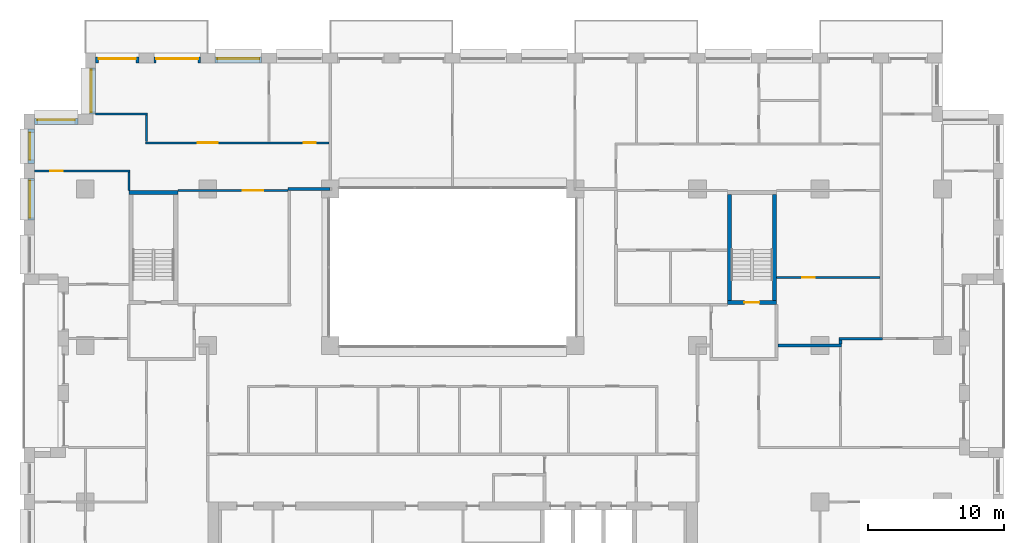
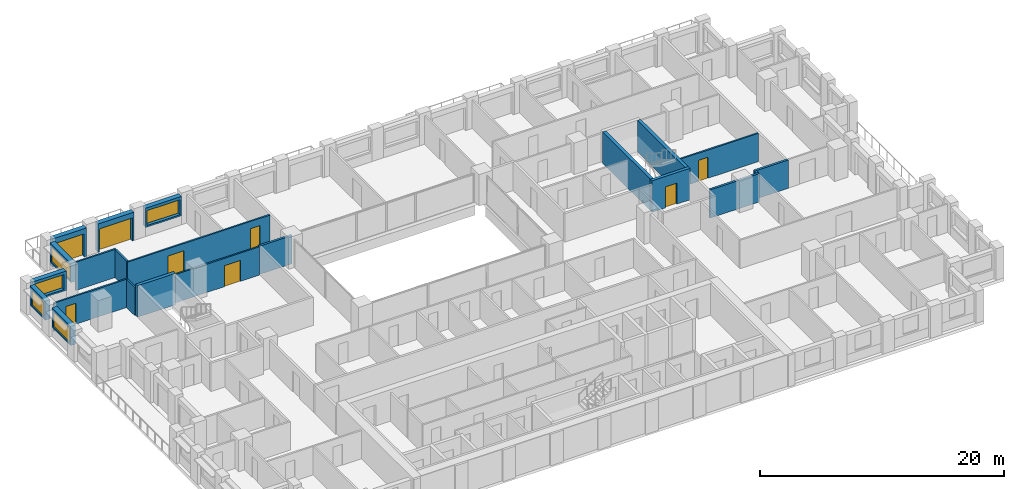
# One storey, part 12 of 16: 22 walls, 8 doors, 5 windows, 13 openings.
"""IFC4 building model written with IfcOpenShell, lengths in metres."""

from ifc_helpers import new_model, si_unit, direction, frame, frame_2d, origin, place, context, subcontext, project, spatial, rectangle, extrude, material, layer, layer_set, type_object, element, fill, save


model = new_model("IFC4")

# Units and contexts
model_context = context("Model", 3, precision=1e-05, world=origin(), true_north=direction((0.0, 1.0)))
body_context = subcontext(model_context, "Body", "Model", "MODEL_VIEW")
ifc_project = project(units=[si_unit("LENGTHUNIT", "METRE"), si_unit("AREAUNIT", "SQUARE_METRE"), si_unit("VOLUMEUNIT", "CUBIC_METRE"), si_unit("PLANEANGLEUNIT", "RADIAN"), si_unit("MASSUNIT", "GRAM", prefix="KILO")], contexts=[model_context])

# Site, building, storey
site_placement = place(None, origin())
site = spatial("IfcSite", under=ifc_project, at=site_placement, CompositionType="ELEMENT")
building_placement = place(site_placement, origin())
building = spatial("IfcBuilding", under=site, at=building_placement, Name="Brigalow Station Residences", CompositionType="ELEMENT")
storey_placement = place(building_placement, frame((0.0, 0.0, 105.60009765625)))
storey = spatial("IfcBuildingStorey", under=building, at=storey_placement, Name="L30", CompositionType="ELEMENT", Elevation=105.60009765625)

# Wall, opening, window
ifc_material_1 = material(Name="Clay brick masonry", Category="masonry")
ifc_layer_1 = layer(ifc_material_1, 0.449951171875)
ifc_layer_set_1 = layer_set([ifc_layer_1], Name="BRICK INFILL WALL 450")
wall_type_1 = type_object("IfcWallType", Name="BRICK INFILL WALL 450", PredefinedType="SOLIDWALL", material=ifc_layer_set_1)
wall_1_placement = place(storey_placement, frame((21.949951171875, 44.97509765625, 0.89990234375), z_axis=(0.0, 0.0, 1.0), x_axis=(-1.0, 0.0, 0.0)))
wall_1 = element("IfcWall", 1, at=wall_1_placement, inside=storey, type_object=wall_type_1, Name="L30/ewall/W-L30-34", PredefinedType="SOLIDWALL", context=body_context, shape_type="SweptSolid", body=[
    extrude(rectangle(XDim=3.39990234375, YDim=0.449951171875, at=frame_2d((1.699951171875, 0.0))), origin(), (0.0, 0.0, 1.0), 1.929931640625),
])
opening_1_placement = place(wall_1_placement, frame((0.14990234375, 0.0, 0.14990234375)))
opening_1 = element("IfcOpeningElement", 2, at=opening_1_placement, cuts=wall_1, Name="Opening WT-8", PredefinedType="OPENING", context=body_context, shape_type="SweptSolid", body=[
    extrude(rectangle(XDim=3.10009765625, YDim=1.5, at=frame_2d((1.550048828125, 0.75))), frame((0.0, 0.23486328125, 0.0), z_axis=(0.0, -1.0, 0.0), x_axis=(1.0, 0.0, 0.0)), (0.0, 0.0, 1.0), 0.469970703125),
])
ifc_material_2 = material(Name="Anodised aluminium frame with double glazing", Category="aluminium")
window_type_1 = type_object("IfcWindowType", Name="WINDOW 3100x1500", PartitioningType="SINGLE_PANEL", PredefinedType="WINDOW", material=ifc_material_2)
window_1_placement = place(opening_1_placement, origin())
window_1 = element("IfcWindow", 3, at=window_1_placement, inside=storey, type_object=window_type_1, Name="L30/window/W-L30-34", OverallHeight=1.5, OverallWidth=3.10009765625, PartitioningType="SINGLE_PANEL", PredefinedType="WINDOW", context=body_context, shape_type="SweptSolid", body=[
    extrude(rectangle(XDim=3.10009765625, YDim=1.5, at=frame_2d((1.550048828125, 0.75))), frame((0.0, -0.06494140625, 0.0), z_axis=(0.0, -1.0, 0.0), x_axis=(1.0, 0.0, 0.0)), (0.0, 0.0, 1.0), 0.06005859375),
])
fill(opening_1, window_1)

# Wall, opening, door
wall_2_placement = place(storey_placement, frame((17.449951171875, 44.97509765625, 0.0), z_axis=(0.0, 0.0, 1.0), x_axis=(-1.0, 0.0, 0.0)))
wall_2 = element("IfcWall", 4, at=wall_2_placement, inside=storey, type_object=wall_type_1, Name="L30/ewall/W-L30-35", PredefinedType="SOLIDWALL", context=body_context, shape_type="SweptSolid", body=[
    extrude(rectangle(XDim=3.39990234375, YDim=0.449951171875, at=frame_2d((1.699951171875, 0.0))), origin(), (0.0, 0.0, 1.0), 2.829833984375),
])
opening_2_placement = place(wall_2_placement, frame((0.14990234375, 0.0, 0.0)))
opening_2 = element("IfcOpeningElement", 5, at=opening_2_placement, cuts=wall_2, Name="Opening D-B3100", PredefinedType="OPENING", context=body_context, shape_type="SweptSolid", body=[
    extrude(rectangle(XDim=3.10009765625, YDim=2.300048828125, at=frame_2d((1.550048828125, 1.14990234375))), frame((0.0, 0.23486328125, 0.0), z_axis=(0.0, -1.0, 0.0), x_axis=(1.0, 0.0, 0.0)), (0.0, 0.0, 1.0), 0.469970703125),
])
ifc_material_3 = material(Name="Anodised aluminium frame with double glazing", Category="aluminium")
door_type_1 = type_object("IfcDoorType", Name="BALCONY SLIDING DOOR 3100x2300", OperationType="SLIDING_TO_LEFT", PredefinedType="DOOR", material=ifc_material_3)
door_1_placement = place(opening_2_placement, origin())
door_1 = element("IfcDoor", 6, at=door_1_placement, inside=storey, type_object=door_type_1, Name="L30/balcony-door/W-L30-35", OperationType="SLIDING_TO_LEFT", OverallHeight=2.300048828125, OverallWidth=3.10009765625, PredefinedType="DOOR", context=body_context, shape_type="SweptSolid", body=[
    extrude(rectangle(XDim=3.10009765625, YDim=2.300048828125, at=frame_2d((1.550048828125, 1.14990234375))), frame((0.0, -0.06982421875, 0.0), z_axis=(0.0, -1.0, 0.0), x_axis=(1.0, 0.0, 0.0)), (0.0, 0.0, 1.0), 0.050048828125),
])
fill(opening_2, door_1)

wall_3_placement = place(storey_placement, frame((12.949951171875, 44.97509765625, 0.0), z_axis=(0.0, 0.0, 1.0), x_axis=(-1.0, 0.0, 0.0)))
wall_3 = element("IfcWall", 7, at=wall_3_placement, inside=storey, type_object=wall_type_1, Name="L30/ewall/W-L30-36", PredefinedType="SOLIDWALL", context=body_context, shape_type="SweptSolid", body=[
    extrude(rectangle(XDim=3.199951171875, YDim=0.449951171875, at=frame_2d((1.60009765625, 0.0))), origin(), (0.0, 0.0, 1.0), 2.829833984375),
])
opening_3_placement = place(wall_3_placement, frame((0.22509765625, 0.0, 0.0)))
opening_3 = element("IfcOpeningElement", 8, at=opening_3_placement, cuts=wall_3, Name="Opening D-B2750", PredefinedType="OPENING", context=body_context, shape_type="SweptSolid", body=[
    extrude(rectangle(XDim=2.75, YDim=2.300048828125, at=frame_2d((1.375, 1.14990234375))), frame((0.0, 0.23486328125, 0.0), z_axis=(0.0, -1.0, 0.0), x_axis=(1.0, 0.0, 0.0)), (0.0, 0.0, 1.0), 0.469970703125),
])
ifc_material_4 = material(Name="Anodised aluminium frame with double glazing", Category="aluminium")
door_type_2 = type_object("IfcDoorType", Name="BALCONY SLIDING DOOR 2750x2300", OperationType="SLIDING_TO_LEFT", PredefinedType="DOOR", material=ifc_material_4)
door_2_placement = place(opening_3_placement, origin())
door_2 = element("IfcDoor", 9, at=door_2_placement, inside=storey, type_object=door_type_2, Name="L30/balcony-door/W-L30-36", OperationType="SLIDING_TO_LEFT", OverallHeight=2.300048828125, OverallWidth=2.75, PredefinedType="DOOR", context=body_context, shape_type="SweptSolid", body=[
    extrude(rectangle(XDim=2.75, YDim=2.300048828125, at=frame_2d((1.375, 1.14990234375))), frame((0.0, -0.06982421875, 0.0), z_axis=(0.0, -1.0, 0.0), x_axis=(1.0, 0.0, 0.0)), (0.0, 0.0, 1.0), 0.050048828125),
])
fill(opening_3, door_2)

# Wall, opening, window
wall_4_placement = place(storey_placement, frame((9.52490234375, 44.39990234375, 0.89990234375), z_axis=(0.0, 0.0, 1.0), x_axis=(0.0, -1.0, 0.0)))
wall_4 = element("IfcWall", 10, at=wall_4_placement, inside=storey, type_object=wall_type_1, Name="L30/ewall/W-L30-37", PredefinedType="SOLIDWALL", context=body_context, shape_type="SweptSolid", body=[
    extrude(rectangle(XDim=3.39990234375, YDim=0.449951171875, at=frame_2d((1.699951171875, 0.0))), origin(), (0.0, 0.0, 1.0), 1.929931640625),
])
opening_4_placement = place(wall_4_placement, frame((0.14990234375, 0.0, 0.14990234375)))
opening_4 = element("IfcOpeningElement", 11, at=opening_4_placement, cuts=wall_4, Name="Opening WT-8", PredefinedType="OPENING", context=body_context, shape_type="SweptSolid", body=[
    extrude(rectangle(XDim=3.10009765625, YDim=1.5, at=frame_2d((1.550048828125, 0.75))), frame((0.0, 0.23486328125, 0.0), z_axis=(0.0, -1.0, 0.0), x_axis=(1.0, 0.0, 0.0)), (0.0, 0.0, 1.0), 0.469970703125),
])
window_2_placement = place(opening_4_placement, origin())
window_2 = element("IfcWindow", 12, at=window_2_placement, inside=storey, type_object=window_type_1, Name="L30/window/W-L30-37", OverallHeight=1.5, OverallWidth=3.10009765625, PartitioningType="SINGLE_PANEL", PredefinedType="WINDOW", context=body_context, shape_type="SweptSolid", body=[
    extrude(rectangle(XDim=3.10009765625, YDim=1.5, at=frame_2d((1.550048828125, 0.75))), frame((0.0, -0.06494140625, 0.0), z_axis=(0.0, -1.0, 0.0), x_axis=(1.0, 0.0, 0.0)), (0.0, 0.0, 1.0), 0.06005859375),
])
fill(opening_4, window_2)

wall_5_placement = place(storey_placement, frame((8.449951171875, 40.47509765625, 0.89990234375), z_axis=(0.0, 0.0, 1.0), x_axis=(-1.0, 0.0, 0.0)))
wall_5 = element("IfcWall", 13, at=wall_5_placement, inside=storey, type_object=wall_type_1, Name="L30/ewall/W-L30-38", PredefinedType="SOLIDWALL", context=body_context, shape_type="SweptSolid", body=[
    extrude(rectangle(XDim=3.199951171875, YDim=0.449951171875, at=frame_2d((1.60009765625, 0.0))), origin(), (0.0, 0.0, 1.0), 1.929931640625),
])
opening_5_placement = place(wall_5_placement, frame((0.22509765625, 0.0, 0.14990234375)))
opening_5 = element("IfcOpeningElement", 14, at=opening_5_placement, cuts=wall_5, Name="Opening WT-3", PredefinedType="OPENING", context=body_context, shape_type="SweptSolid", body=[
    extrude(rectangle(XDim=2.75, YDim=1.5, at=frame_2d((1.375, 0.75))), frame((0.0, 0.23486328125, 0.0), z_axis=(0.0, -1.0, 0.0), x_axis=(1.0, 0.0, 0.0)), (0.0, 0.0, 1.0), 0.469970703125),
])
ifc_material_5 = material(Name="Anodised aluminium frame with double glazing", Category="aluminium")
window_type_2 = type_object("IfcWindowType", Name="WINDOW 2750x1500", PartitioningType="SINGLE_PANEL", PredefinedType="WINDOW", material=ifc_material_5)
window_3_placement = place(opening_5_placement, origin())
window_3 = element("IfcWindow", 15, at=window_3_placement, inside=storey, type_object=window_type_2, Name="L30/window/W-L30-38", OverallHeight=1.5, OverallWidth=2.75, PartitioningType="SINGLE_PANEL", PredefinedType="WINDOW", context=body_context, shape_type="SweptSolid", body=[
    extrude(rectangle(XDim=2.75, YDim=1.5, at=frame_2d((1.375, 0.75))), frame((0.0, -0.06494140625, 0.0), z_axis=(0.0, -1.0, 0.0), x_axis=(1.0, 0.0, 0.0)), (0.0, 0.0, 1.0), 0.06005859375),
])
fill(opening_5, window_3)

wall_6_placement = place(storey_placement, frame((5.02490234375, 39.89990234375, 0.89990234375), z_axis=(0.0, 0.0, 1.0), x_axis=(0.0, -1.0, 0.0)))
wall_6 = element("IfcWall", 16, at=wall_6_placement, inside=storey, type_object=wall_type_1, Name="L30/ewall/W-L30-39", PredefinedType="SOLIDWALL", context=body_context, shape_type="SweptSolid", body=[
    extrude(rectangle(XDim=2.516845703125, YDim=0.449951171875, at=frame_2d((1.25830078125, 0.0))), origin(), (0.0, 0.0, 1.0), 1.929931640625),
])
opening_6_placement = place(wall_6_placement, frame((0.258544921875, 0.0, 0.14990234375)))
opening_6 = element("IfcOpeningElement", 17, at=opening_6_placement, cuts=wall_6, Name="Opening WT-7", PredefinedType="OPENING", context=body_context, shape_type="SweptSolid", body=[
    extrude(rectangle(XDim=2.0, YDim=1.5, at=frame_2d((1.0, 0.75))), frame((0.0, 0.23486328125, 0.0), z_axis=(0.0, -1.0, 0.0), x_axis=(1.0, 0.0, 0.0)), (0.0, 0.0, 1.0), 0.469970703125),
])
ifc_material_6 = material(Name="Anodised aluminium frame with double glazing", Category="aluminium")
window_type_3 = type_object("IfcWindowType", Name="WINDOW 2000x1500", PartitioningType="SINGLE_PANEL", PredefinedType="WINDOW", material=ifc_material_6)
window_4_placement = place(opening_6_placement, origin())
window_4 = element("IfcWindow", 18, at=window_4_placement, inside=storey, type_object=window_type_3, Name="L30/window/W-L30-39", OverallHeight=1.5, OverallWidth=2.0, PartitioningType="SINGLE_PANEL", PredefinedType="WINDOW", context=body_context, shape_type="SweptSolid", body=[
    extrude(rectangle(XDim=2.0, YDim=1.5, at=frame_2d((1.0, 0.75))), frame((0.0, -0.06494140625, 0.0), z_axis=(0.0, -1.0, 0.0), x_axis=(1.0, 0.0, 0.0)), (0.0, 0.0, 1.0), 0.06005859375),
])
fill(opening_6, window_4)

wall_7_placement = place(storey_placement, frame((5.02490234375, 36.282958984375, 0.89990234375), z_axis=(0.0, 0.0, 1.0), x_axis=(0.0, -1.0, 0.0)))
wall_7 = element("IfcWall", 19, at=wall_7_placement, inside=storey, type_object=wall_type_1, Name="L30/ewall/W-L30-40", PredefinedType="SOLIDWALL", context=body_context, shape_type="SweptSolid", body=[
    extrude(rectangle(XDim=3.06591796875, YDim=0.449951171875, at=frame_2d((1.532958984375, 0.0))), origin(), (0.0, 0.0, 1.0), 1.929931640625),
])
opening_7_placement = place(wall_7_placement, frame((0.157958984375, 0.0, 0.14990234375)))
opening_7 = element("IfcOpeningElement", 20, at=opening_7_placement, cuts=wall_7, Name="Opening WT-3", PredefinedType="OPENING", context=body_context, shape_type="SweptSolid", body=[
    extrude(rectangle(XDim=2.75, YDim=1.5, at=frame_2d((1.375, 0.75))), frame((0.0, 0.23486328125, 0.0), z_axis=(0.0, -1.0, 0.0), x_axis=(1.0, 0.0, 0.0)), (0.0, 0.0, 1.0), 0.469970703125),
])
window_5_placement = place(opening_7_placement, origin())
window_5 = element("IfcWindow", 21, at=window_5_placement, inside=storey, type_object=window_type_2, Name="L30/window/W-L30-40", OverallHeight=1.5, OverallWidth=2.75, PartitioningType="SINGLE_PANEL", PredefinedType="WINDOW", context=body_context, shape_type="SweptSolid", body=[
    extrude(rectangle(XDim=2.75, YDim=1.5, at=frame_2d((1.375, 0.75))), frame((0.0, -0.06494140625, 0.0), z_axis=(0.0, -1.0, 0.0), x_axis=(1.0, 0.0, 0.0)), (0.0, 0.0, 1.0), 0.06005859375),
])
fill(opening_7, window_5)

# Wall
ifc_material_7 = material(Name="Concrete C65", Category="concrete")
ifc_layer_2 = layer(ifc_material_7, 0.300048828125)
ifc_layer_set_2 = layer_set([ifc_layer_2], Name="CORE SHEAR WALL 300 C65")
wall_type_2 = type_object("IfcWallType", Name="CORE SHEAR WALL 300 C65", PredefinedType="SHEAR", material=ifc_layer_set_2)
wall_8_placement = place(storey_placement, frame((12.199951171875, 35.25, 0.0), z_axis=(0.0, 0.0, 1.0), x_axis=(1.0, 0.0, 0.0)))
element("IfcWall", 22, at=wall_8_placement, inside=storey, type_object=wall_type_2, Name="CORE WALL ST-S1-N L30", PredefinedType="SHEAR", context=body_context, shape_type="SweptSolid", body=[
    extrude(rectangle(XDim=3.60009765625, YDim=0.300048828125, at=frame_2d((1.800048828125, 0.0))), origin(), (0.0, 0.0, 1.0), 3.14990234375),
])

# Wall, opening, door
wall_9_placement = place(storey_placement, frame((56.199951171875, 27.14990234375, 0.0), z_axis=(0.0, 0.0, 1.0), x_axis=(1.0, 0.0, 0.0)))
wall_9 = element("IfcWall", 23, at=wall_9_placement, inside=storey, type_object=wall_type_2, Name="CORE WALL ST-S3-S L30", PredefinedType="SHEAR", context=body_context, shape_type="SweptSolid", body=[
    extrude(rectangle(XDim=3.60009765625, YDim=0.300048828125, at=frame_2d((1.800048828125, 0.0))), origin(), (0.0, 0.0, 1.0), 3.14990234375),
])
opening_8_placement = place(wall_9_placement, frame((1.25, 0.0, 0.0)))
opening_8 = element("IfcOpeningElement", 24, at=opening_8_placement, cuts=wall_9, Name="Opening D-5018", PredefinedType="OPENING", context=body_context, shape_type="SweptSolid", body=[
    extrude(rectangle(XDim=1.10009765625, YDim=2.10009765625, at=frame_2d((0.550048828125, 1.050048828125))), frame((0.0, 0.16015625, 0.0), z_axis=(0.0, -1.0, 0.0), x_axis=(1.0, 0.0, 0.0)), (0.0, 0.0, 1.0), 0.320068359375),
])
ifc_material_8 = material(Name="Steel fire door leaf in steel frame", Category="steel")
door_type_3 = type_object("IfcDoorType", Name="STAIR DOOR 1100 x 2100 FD60S", OperationType="SINGLE_SWING_LEFT", PredefinedType="DOOR", material=ifc_material_8)
door_3_placement = place(opening_8_placement, origin())
door_3 = element("IfcDoor", 25, at=door_3_placement, inside=storey, type_object=door_type_3, Name="D-5018", OperationType="SINGLE_SWING_LEFT", OverallHeight=2.10009765625, OverallWidth=1.10009765625, PredefinedType="DOOR", context=body_context, shape_type="SweptSolid", body=[
    extrude(rectangle(XDim=1.10009765625, YDim=2.10009765625, at=frame_2d((0.550048828125, 1.050048828125))), frame((0.0, 0.02490234375, 0.0), z_axis=(0.0, -1.0, 0.0), x_axis=(1.0, 0.0, 0.0)), (0.0, 0.0, 1.0), 0.050048828125),
])
fill(opening_8, door_3)

# Walls
for number, where, z_axis, x_axis, name in (
    (26, (56.35009765625, 27.300048828125, 0.0), (0.0, 0.0, 1.0), (0.0, 1.0, 0.0), "CORE WALL ST-S3-W L30"),
    (27, (59.64990234375, 27.300048828125, 0.0), (0.0, 0.0, 1.0), (0.0, 1.0, 0.0), "CORE WALL ST-S3-E L30"),
):
    element("IfcWall", number, at=place(storey_placement, frame(where, z_axis=z_axis, x_axis=x_axis)), inside=storey, type_object=wall_type_2, Name=name, PredefinedType="SHEAR", context=body_context, shape_type="SweptSolid", body=[
        extrude(rectangle(XDim=7.800048828125, YDim=0.300048828125, at=frame_2d((3.89990234375, 0.0))), origin(), (0.0, 0.0, 1.0), 3.14990234375),
    ])

# Wall, opening, door
ifc_material_9 = material(Name="Plasterboard on steel stud partition", Category="steel")
ifc_layer_3 = layer(ifc_material_9, 0.14990234375)
ifc_layer_set_3 = layer_set([ifc_layer_3], Name="FLAT PARTITION 150")
wall_type_3 = type_object("IfcWallType", Name="FLAT PARTITION 150", PredefinedType="PARTITIONING", material=ifc_layer_set_3)
wall_10_placement = place(storey_placement, frame((5.25, 36.8330078125, 0.0), z_axis=(0.0, 0.0, 1.0), x_axis=(1.0, 0.0, 0.0)))
wall_10 = element("IfcWall", 28, at=wall_10_placement, inside=storey, type_object=wall_type_3, Name="PW-2C22", PredefinedType="PARTITIONING", context=body_context, shape_type="SweptSolid", body=[
    extrude(rectangle(XDim=7.02490234375, YDim=0.14990234375, at=frame_2d((3.512451171875, 0.0))), origin(), (0.0, 0.0, 1.0), 2.829833984375),
])
opening_9_placement = place(wall_10_placement, frame((1.175048828125, 0.0, 0.0)))
opening_9 = element("IfcOpeningElement", 29, at=opening_9_placement, cuts=wall_10, Name="Opening D-2C12", PredefinedType="OPENING", context=body_context, shape_type="SweptSolid", body=[
    extrude(rectangle(XDim=0.89990234375, YDim=2.10009765625, at=frame_2d((0.449951171875, 1.050048828125))), frame((0.0, 0.0849609375, 0.0), z_axis=(0.0, -1.0, 0.0), x_axis=(1.0, 0.0, 0.0)), (0.0, 0.0, 1.0), 0.169921875),
])
ifc_material_10 = material(Name="Solid-core timber door leaf", Category="wood")
door_type_4 = type_object("IfcDoorType", Name="INTERNAL DOOR 900 x 2100", OperationType="SINGLE_SWING_LEFT", PredefinedType="DOOR", material=ifc_material_10)
door_4_placement = place(opening_9_placement, frame((0.89990234375, 0.0, 0.0), z_axis=(0.0, 0.0, 1.0), x_axis=(-1.0, 0.0, 0.0)))
door_4 = element("IfcDoor", 30, at=door_4_placement, inside=storey, type_object=door_type_4, Name="D-2C12", OperationType="SINGLE_SWING_RIGHT", OverallHeight=2.10009765625, OverallWidth=0.89990234375, PredefinedType="DOOR", context=body_context, shape_type="SweptSolid", body=[
    extrude(rectangle(XDim=0.89990234375, YDim=2.10009765625, at=frame_2d((0.449951171875, 1.050048828125))), frame((0.0, 0.02490234375, 0.0), z_axis=(0.0, -1.0, 0.0), x_axis=(1.0, 0.0, 0.0)), (0.0, 0.0, 1.0), 0.050048828125),
])
fill(opening_9, door_4)

# Wall, openings, doors
wall_11_placement = place(storey_placement, frame((13.425048828125, 38.89990234375, 0.0), z_axis=(0.0, 0.0, 1.0), x_axis=(1.0, 0.0, 0.0)))
wall_11 = element("IfcWall", 31, at=wall_11_placement, inside=storey, type_object=wall_type_3, Name="PW-2C24", PredefinedType="PARTITIONING", context=body_context, shape_type="SweptSolid", body=[
    extrude(rectangle(XDim=13.474853515625, YDim=0.14990234375, at=frame_2d((6.7373046875, 0.0))), origin(), (0.0, 0.0, 1.0), 2.829833984375),
])
opening_10_placement = place(wall_11_placement, frame((3.824951171875, 0.0, 0.0)))
opening_10 = element("IfcOpeningElement", 32, at=opening_10_placement, cuts=wall_11, Name="Opening D-2C13", PredefinedType="OPENING", context=body_context, shape_type="SweptSolid", body=[
    extrude(rectangle(XDim=1.5, YDim=2.10009765625, at=frame_2d((0.75, 1.050048828125))), frame((0.0, 0.0849609375, 0.0), z_axis=(0.0, -1.0, 0.0), x_axis=(1.0, 0.0, 0.0)), (0.0, 0.0, 1.0), 0.169921875),
])
opening_11_placement = place(wall_11_placement, frame((11.625, 0.0, 0.0)))
opening_11 = element("IfcOpeningElement", 33, at=opening_11_placement, cuts=wall_11, Name="Opening D-2C15", PredefinedType="OPENING", context=body_context, shape_type="SweptSolid", body=[
    extrude(rectangle(XDim=0.89990234375, YDim=2.10009765625, at=frame_2d((0.449951171875, 1.050048828125))), frame((0.0, 0.0849609375, 0.0), z_axis=(0.0, -1.0, 0.0), x_axis=(1.0, 0.0, 0.0)), (0.0, 0.0, 1.0), 0.169921875),
])
door_5_placement = place(opening_11_placement, origin())
door_5 = element("IfcDoor", 34, at=door_5_placement, inside=storey, type_object=door_type_4, Name="D-2C15", OperationType="SINGLE_SWING_RIGHT", OverallHeight=2.10009765625, OverallWidth=0.89990234375, PredefinedType="DOOR", context=body_context, shape_type="SweptSolid", body=[
    extrude(rectangle(XDim=0.89990234375, YDim=2.10009765625, at=frame_2d((0.449951171875, 1.050048828125))), frame((0.0, 0.02490234375, 0.0), z_axis=(0.0, -1.0, 0.0), x_axis=(1.0, 0.0, 0.0)), (0.0, 0.0, 1.0), 0.050048828125),
])
fill(opening_11, door_5)
ifc_material_11 = material(Name="Solid-core timber door leaf", Category="wood")
door_type_5 = type_object("IfcDoorType", Name="INTERNAL DOUBLE DOOR 1500 x 2100", OperationType="DOUBLE_DOOR_SINGLE_SWING", PredefinedType="DOOR", material=ifc_material_11)
door_6_placement = place(opening_10_placement, origin())
door_6 = element("IfcDoor", 35, at=door_6_placement, inside=storey, type_object=door_type_5, Name="D-2C13", OperationType="DOUBLE_DOOR_SINGLE_SWING", OverallHeight=2.10009765625, OverallWidth=1.5, PredefinedType="DOOR", context=body_context, shape_type="SweptSolid", body=[
    extrude(rectangle(XDim=1.5, YDim=2.10009765625, at=frame_2d((0.75, 1.050048828125))), frame((0.0, 0.02490234375, 0.0), z_axis=(0.0, -1.0, 0.0), x_axis=(1.0, 0.0, 0.0)), (0.0, 0.0, 1.0), 0.050048828125),
])
fill(opening_10, door_6)

# Wall, opening, door
wall_12_placement = place(storey_placement, frame((15.800048828125, 35.39990234375, 0.0), z_axis=(0.0, 0.0, 1.0), x_axis=(1.0, 0.0, 0.0)))
wall_12 = element("IfcWall", 36, at=wall_12_placement, inside=storey, type_object=wall_type_3, Name="PW-2C25", PredefinedType="PARTITIONING", context=body_context, shape_type="SweptSolid", body=[
    extrude(rectangle(XDim=8.099853515625, YDim=0.14990234375, at=frame_2d((4.0498046875, 0.0))), origin(), (0.0, 0.0, 1.0), 2.829833984375),
])
opening_12_placement = place(wall_12_placement, frame((4.77490234375, 0.0, 0.0)))
opening_12 = element("IfcOpeningElement", 37, at=opening_12_placement, cuts=wall_12, Name="Opening D-2C16", PredefinedType="OPENING", context=body_context, shape_type="SweptSolid", body=[
    extrude(rectangle(XDim=1.5, YDim=2.10009765625, at=frame_2d((0.75, 1.050048828125))), frame((0.0, 0.0849609375, 0.0), z_axis=(0.0, -1.0, 0.0), x_axis=(1.0, 0.0, 0.0)), (0.0, 0.0, 1.0), 0.169921875),
])
door_7_placement = place(opening_12_placement, frame((1.5, 0.0, 0.0), z_axis=(0.0, 0.0, 1.0), x_axis=(-1.0, 0.0, 0.0)))
door_7 = element("IfcDoor", 38, at=door_7_placement, inside=storey, type_object=door_type_5, Name="D-2C16", OperationType="DOUBLE_DOOR_SINGLE_SWING", OverallHeight=2.10009765625, OverallWidth=1.5, PredefinedType="DOOR", context=body_context, shape_type="SweptSolid", body=[
    extrude(rectangle(XDim=1.5, YDim=2.10009765625, at=frame_2d((0.75, 1.050048828125))), frame((0.0, 0.02490234375, 0.0), z_axis=(0.0, -1.0, 0.0), x_axis=(1.0, 0.0, 0.0)), (0.0, 0.0, 1.0), 0.050048828125),
])
fill(opening_12, door_7)

# Wall
wall_13_placement = place(storey_placement, frame((9.75, 41.0, 0.0), z_axis=(0.0, 0.0, 1.0), x_axis=(1.0, 0.0, 0.0)))
element("IfcWall", 39, at=wall_13_placement, inside=storey, type_object=wall_type_3, Name="PW-2C28", PredefinedType="PARTITIONING", context=body_context, shape_type="SweptSolid", body=[
    extrude(rectangle(XDim=3.824951171875, YDim=0.14990234375, at=frame_2d((1.91259765625, 0.0))), origin(), (0.0, 0.0, 1.0), 2.829833984375),
])

# Wall, opening, door
wall_14_placement = place(storey_placement, frame((59.800048828125, 29.0, 0.0), z_axis=(0.0, 0.0, 1.0), x_axis=(1.0, 0.0, 0.0)))
wall_14 = element("IfcWall", 40, at=wall_14_placement, inside=storey, type_object=wall_type_3, Name="PW-2C33", PredefinedType="PARTITIONING", context=body_context, shape_type="SweptSolid", body=[
    extrude(rectangle(XDim=7.599853515625, YDim=0.14990234375, at=frame_2d((3.7998046875, 0.0))), origin(), (0.0, 0.0, 1.0), 2.829833984375),
])
opening_13_placement = place(wall_14_placement, frame((1.89990234375, 0.0, 0.0)))
opening_13 = element("IfcOpeningElement", 41, at=opening_13_placement, cuts=wall_14, Name="Opening D-2C30", PredefinedType="OPENING", context=body_context, shape_type="SweptSolid", body=[
    extrude(rectangle(XDim=0.89990234375, YDim=2.10009765625, at=frame_2d((0.449951171875, 1.050048828125))), frame((0.0, 0.0849609375, 0.0), z_axis=(0.0, -1.0, 0.0), x_axis=(1.0, 0.0, 0.0)), (0.0, 0.0, 1.0), 0.169921875),
])
door_8_placement = place(opening_13_placement, frame((0.89990234375, 0.0, 0.0), z_axis=(0.0, 0.0, 1.0), x_axis=(-1.0, 0.0, 0.0)))
door_8 = element("IfcDoor", 42, at=door_8_placement, inside=storey, type_object=door_type_4, Name="D-2C30", OperationType="SINGLE_SWING_RIGHT", OverallHeight=2.10009765625, OverallWidth=0.89990234375, PredefinedType="DOOR", context=body_context, shape_type="SweptSolid", body=[
    extrude(rectangle(XDim=0.89990234375, YDim=2.10009765625, at=frame_2d((0.449951171875, 1.050048828125))), frame((0.0, 0.02490234375, 0.0), z_axis=(0.0, -1.0, 0.0), x_axis=(1.0, 0.0, 0.0)), (0.0, 0.0, 1.0), 0.050048828125),
])
fill(opening_13, door_8)

# Walls
wall_15_placement = place(storey_placement, frame((13.5, 38.97509765625, 0.0), z_axis=(0.0, 0.0, 1.0), x_axis=(0.0, 1.0, 0.0)))
element("IfcWall", 43, at=wall_15_placement, inside=storey, type_object=wall_type_3, Name="PW-2C48", PredefinedType="PARTITIONING", context=body_context, shape_type="SweptSolid", body=[
    extrude(rectangle(XDim=1.949951171875, YDim=0.14990234375, at=frame_2d((0.97509765625, 0.0))), origin(), (0.0, 0.0, 1.0), 2.829833984375),
])
wall_16_placement = place(storey_placement, frame((12.199951171875, 35.39990234375, 0.0), z_axis=(0.0, 0.0, 1.0), x_axis=(0.0, 1.0, 0.0)))
element("IfcWall", 44, at=wall_16_placement, inside=storey, type_object=wall_type_3, Name="PW-2C49", PredefinedType="PARTITIONING", context=body_context, shape_type="SweptSolid", body=[
    extrude(rectangle(XDim=1.358154296875, YDim=0.14990234375, at=frame_2d((0.67919921875, 0.0))), origin(), (0.0, 0.0, 1.0), 2.829833984375),
])
ifc_material_12 = material(Name="Plasterboard on steel stud partition", Category="steel")
ifc_layer_4 = layer(ifc_material_12, 0.199951171875)
ifc_layer_set_4 = layer_set([ifc_layer_4], Name="PARTY AND CORRIDOR WALL 200")
wall_type_4 = type_object("IfcWallType", Name="PARTY AND CORRIDOR WALL 200", PredefinedType="PARTITIONING", material=ifc_layer_set_4)
wall_17_placement = place(storey_placement, frame((59.89990234375, 24.0, 0.0), z_axis=(0.0, 0.0, 1.0), x_axis=(1.0, 0.0, 0.0)))
element("IfcWall", 45, at=wall_17_placement, inside=storey, type_object=wall_type_4, Name="PW-2C04", PredefinedType="PARTITIONING", context=body_context, shape_type="SweptSolid", body=[
    extrude(rectangle(XDim=4.675048828125, YDim=0.199951171875, at=frame_2d((2.33740234375, 0.0))), origin(), (0.0, 0.0, 1.0), 2.829833984375),
])
wall_18_placement = place(storey_placement, frame((23.89990234375, 35.5, 0.0), z_axis=(0.0, 0.0, 1.0), x_axis=(1.0, 0.0, 0.0)))
element("IfcWall", 46, at=wall_18_placement, inside=storey, type_object=wall_type_4, Name="PW-2C07", PredefinedType="PARTITIONING", context=body_context, shape_type="SweptSolid", body=[
    extrude(rectangle(XDim=3.10009765625, YDim=0.199951171875, at=frame_2d((1.550048828125, 0.0))), origin(), (0.0, 0.0, 1.0), 2.829833984375),
])
wall_19_placement = place(storey_placement, frame((64.39990234375, 24.5, 0.0), z_axis=(0.0, 0.0, 1.0), x_axis=(1.0, 0.0, 0.0)))
element("IfcWall", 47, at=wall_19_placement, inside=storey, type_object=wall_type_4, Name="PW-2C19", PredefinedType="PARTITIONING", context=body_context, shape_type="SweptSolid", body=[
    extrude(rectangle(XDim=3.2001953125, YDim=0.199951171875, at=frame_2d((1.60009765625, 0.0))), origin(), (0.0, 0.0, 1.0), 2.829833984375),
])
wall_20_placement = place(storey_placement, frame((64.5, 24.10009765625, 0.0), z_axis=(0.0, 0.0, 1.0), x_axis=(0.0, 1.0, 0.0)))
element("IfcWall", 48, at=wall_20_placement, inside=storey, type_object=wall_type_4, Name="PW-2C64", PredefinedType="PARTITIONING", context=body_context, shape_type="SweptSolid", body=[
    extrude(rectangle(XDim=0.2998046875, YDim=0.199951171875, at=frame_2d((0.14990234375, 0.0))), origin(), (0.0, 0.0, 1.0), 2.829833984375),
])

save(model, "model.ifc")
